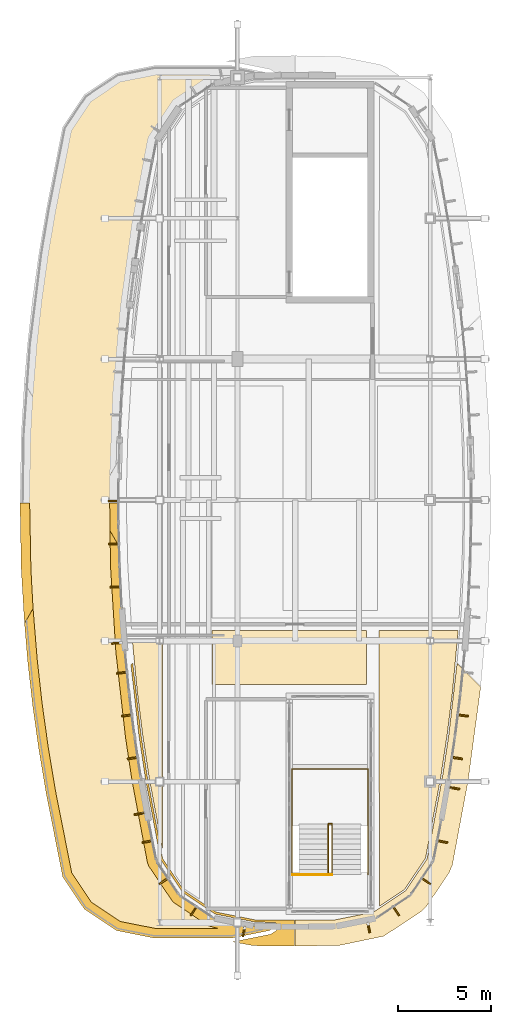
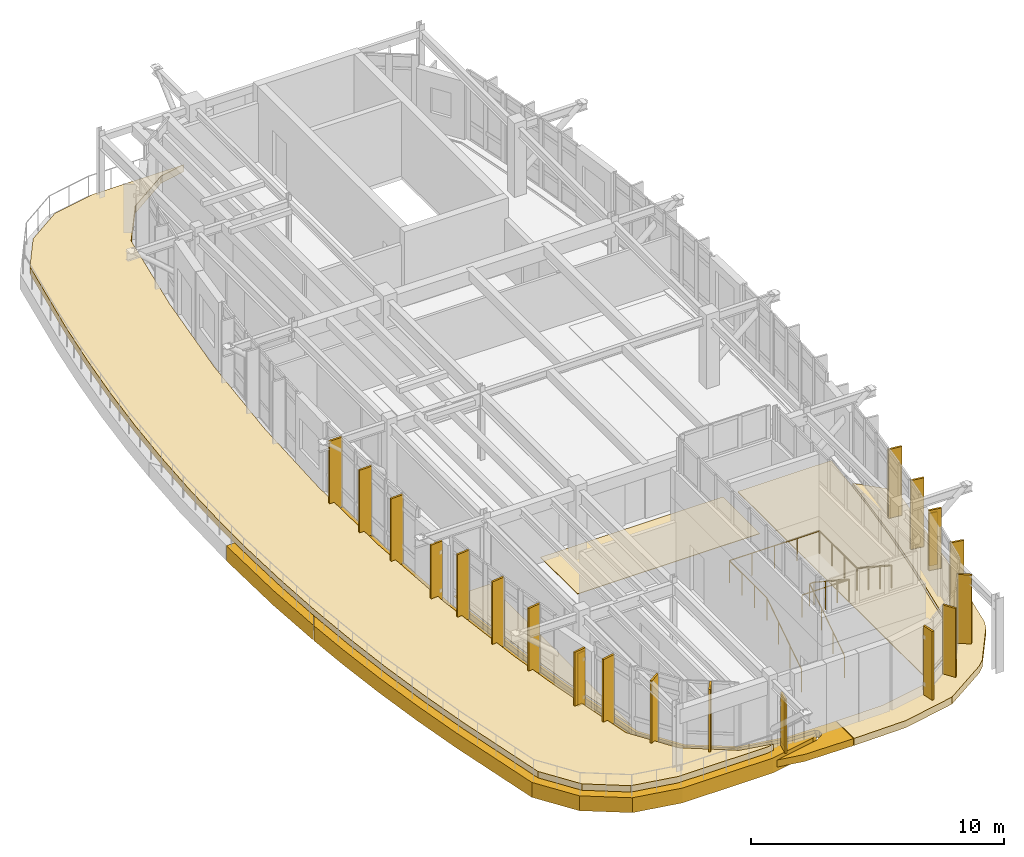
# One storey, part 18 of 20: 28 coverings, 5 shading devices, 3 railings.
"""IFC4 building model written with IfcOpenShell, lengths in metres."""

from ifc_helpers import new_model, si_unit, direction, frame, origin, origin_2d, place, context, subcontext, project, spatial, polyline, rectangle, circle, outline, extrude, material, layer, layer_set, type_object, element, save


model = new_model("IFC4")

# Units and contexts
model_context = context("Model", 3, precision=1e-05, world=origin(), true_north=direction((0.0, 1.0)))
body_context = subcontext(model_context, "Body", "Model", "MODEL_VIEW")
ifc_project = project(units=[si_unit("LENGTHUNIT", "METRE"), si_unit("AREAUNIT", "SQUARE_METRE"), si_unit("VOLUMEUNIT", "CUBIC_METRE"), si_unit("PLANEANGLEUNIT", "RADIAN"), si_unit("MASSUNIT", "GRAM", prefix="KILO")], contexts=[model_context])

# Site, building, storey
site_placement = place(None, origin())
site = spatial("IfcSite", under=ifc_project, at=site_placement, CompositionType="ELEMENT")
building_placement = place(site_placement, origin())
building = spatial("IfcBuilding", under=site, at=building_placement, Name="Corveleigh Park Community Centre", CompositionType="ELEMENT")
storey_placement = place(building_placement, frame((0.0, 0.0, 19.800048828125)))
storey = spatial("IfcBuildingStorey", under=building, at=storey_placement, Name="L05", CompositionType="ELEMENT", Elevation=19.800048828125)

# Coverings
ifc_material_1 = material(Name="Warm buff ribbed architectural cladding", Category="masonry")
ifc_layer_1 = layer(ifc_material_1, 0.0849609375, Name="Warm buff ribbed architectural cladding", Category="masonry")
ifc_layer_set_1 = layer_set([ifc_layer_1], Name="Warm buff ribbed architectural cladding")
covering_type_1 = type_object("IfcCoveringType", Name="COV-CLD-BUF", PredefinedType="CLADDING", material=ifc_layer_set_1)
covering_1_placement = place(storey_placement, origin())
element("IfcCovering", 1, at=covering_1_placement, inside=storey, type_object=covering_type_1, Name="V4 L05 Brise-soleil blade 531", PredefinedType="CLADDING", context=body_context, shape_type="SweptSolid", body=[
    extrude(outline(polyline([(165.074951171875, 58.593017578125), (164.991943359375, 58.575927734375), (165.095947265625, 58.051025390625), (165.179931640625, 58.068115234375), (165.074951171875, 58.593017578125)])), origin(), (0.0, 0.0, 1.0), 3.364013671875),
])
covering_2_placement = place(storey_placement, origin())
element("IfcCovering", 2, at=covering_2_placement, inside=storey, type_object=covering_type_1, Name="V4 L05 Brise-soleil blade 532", PredefinedType="CLADDING", context=body_context, shape_type="SweptSolid", body=[
    extrude(outline(polyline([(166.43603515625, 59.489990234375), (166.364990234375, 59.443115234375), (166.68701171875, 58.9599609375), (166.758056640625, 59.007080078125), (166.43603515625, 59.489990234375)])), origin(), (0.0, 0.0, 1.0), 3.364013671875),
])
covering_3_placement = place(storey_placement, origin())
element("IfcCovering", 3, at=covering_3_placement, inside=storey, type_object=covering_type_1, Name="V4 L05 Brise-soleil blade 533", PredefinedType="CLADDING", context=body_context, shape_type="SweptSolid", body=[
    extrude(outline(polyline([(167.95703125, 61.034912109375), (167.909912109375, 60.964111328125), (168.39306640625, 60.64208984375), (168.43994140625, 60.712890625), (167.95703125, 61.034912109375)])), origin(), (0.0, 0.0, 1.0), 3.364013671875),
])
covering_4_placement = place(storey_placement, origin())
element("IfcCovering", 4, at=covering_4_placement, inside=storey, type_object=covering_type_1, Name="V4 L05 Brise-soleil blade 534", PredefinedType="CLADDING", context=body_context, shape_type="SweptSolid", body=[
    extrude(outline(polyline([(168.77587890625, 63.06298828125), (168.759033203125, 62.97998046875), (169.327880859375, 62.866943359375), (169.344970703125, 62.949951171875), (168.77587890625, 63.06298828125)])), origin(), (0.0, 0.0, 1.0), 3.364013671875),
])
covering_5_placement = place(storey_placement, origin())
element("IfcCovering", 5, at=covering_5_placement, inside=storey, type_object=covering_type_1, Name="V4 L05 Brise-soleil blade 535", PredefinedType="CLADDING", context=body_context, shape_type="SweptSolid", body=[
    extrude(outline(polyline([(169.462890625, 65.93408203125), (169.447998046875, 65.85107421875), (169.97509765625, 65.757080078125), (169.989990234375, 65.841064453125), (169.462890625, 65.93408203125)])), origin(), (0.0, 0.0, 1.0), 2.94287109375),
])
covering_6_placement = place(storey_placement, origin())
element("IfcCovering", 6, at=covering_6_placement, inside=storey, type_object=covering_type_1, Name="V4 L05 Brise-soleil blade 536", PredefinedType="CLADDING", context=body_context, shape_type="SweptSolid", body=[
    extrude(outline(polyline([(169.56201171875, 67.55810546875), (169.549072265625, 67.47412109375), (170.123046875, 67.386962890625), (170.135986328125, 67.470947265625), (169.56201171875, 67.55810546875)])), origin(), (0.0, 0.0, 1.0), 3.364013671875),
])
covering_7_placement = place(storey_placement, origin())
element("IfcCovering", 7, at=covering_7_placement, inside=storey, type_object=covering_type_1, Name="V4 L05 Brise-soleil blade 537", PredefinedType="CLADDING", context=body_context, shape_type="SweptSolid", body=[
    extrude(outline(polyline([(169.8779296875, 69.85009765625), (169.866943359375, 69.764892578125), (170.443115234375, 69.693115234375), (170.452880859375, 69.777099609375), (169.8779296875, 69.85009765625)])), origin(), (0.0, 0.0, 1.0), 3.364013671875),
])
covering_8_placement = place(storey_placement, origin())
element("IfcCovering", 8, at=covering_8_placement, inside=storey, type_object=covering_type_1, Name="V4 L05 Brise-soleil blade 559", PredefinedType="CLADDING", context=body_context, shape_type="SweptSolid", body=[
    extrude(outline(polyline([(151.60498046875, 81.306884765625), (151.60498046875, 81.39208984375), (151.02490234375, 81.39208984375), (151.02490234375, 81.306884765625), (151.60498046875, 81.306884765625)])), origin(), (0.0, 0.0, 1.0), 3.364013671875),
])
covering_9_placement = place(storey_placement, origin())
element("IfcCovering", 9, at=covering_9_placement, inside=storey, type_object=covering_type_1, Name="V4 L05 Brise-soleil blade 560", PredefinedType="CLADDING", context=body_context, shape_type="SweptSolid", body=[
    extrude(outline(polyline([(151.635009765625, 78.992919921875), (151.633056640625, 79.077880859375), (151.052978515625, 79.06298828125), (151.054931640625, 78.97802734375), (151.635009765625, 78.992919921875)])), origin(), (0.0, 0.0, 1.0), 3.364013671875),
])
covering_10_placement = place(storey_placement, origin())
element("IfcCovering", 10, at=covering_10_placement, inside=storey, type_object=covering_type_1, Name="V4 L05 Brise-soleil blade 561", PredefinedType="CLADDING", context=body_context, shape_type="SweptSolid", body=[
    extrude(outline(polyline([(151.722900390625, 76.679931640625), (151.718994140625, 76.764892578125), (151.139892578125, 76.736083984375), (151.14404296875, 76.65087890625), (151.722900390625, 76.679931640625)])), origin(), (0.0, 0.0, 1.0), 3.364013671875),
])
covering_11_placement = place(storey_placement, origin())
element("IfcCovering", 11, at=covering_11_placement, inside=storey, type_object=covering_type_1, Name="V4 L05 Brise-soleil blade 562", PredefinedType="CLADDING", context=body_context, shape_type="SweptSolid", body=[
    extrude(outline(polyline([(151.756103515625, 73.662109375), (151.75, 73.74609375), (151.216064453125, 73.70703125), (151.221923828125, 73.6220703125), (151.756103515625, 73.662109375)])), origin(), (0.0, 0.0, 1.0), 2.94287109375),
])
covering_12_placement = place(storey_placement, origin())
element("IfcCovering", 12, at=covering_12_placement, inside=storey, type_object=covering_type_1, Name="V4 L05 Brise-soleil blade 563", PredefinedType="CLADDING", context=body_context, shape_type="SweptSolid", body=[
    extrude(outline(polyline([(152.072021484375, 72.06494140625), (152.06298828125, 72.14990234375), (151.486083984375, 72.092041015625), (151.493896484375, 72.007080078125), (152.072021484375, 72.06494140625)])), origin(), (0.0, 0.0, 1.0), 3.364013671875),
])
covering_13_placement = place(storey_placement, origin())
element("IfcCovering", 13, at=covering_13_placement, inside=storey, type_object=covering_type_1, Name="V4 L05 Brise-soleil blade 564", PredefinedType="CLADDING", context=body_context, shape_type="SweptSolid", body=[
    extrude(outline(polyline([(152.3330078125, 69.764892578125), (152.322021484375, 69.85009765625), (151.7470703125, 69.777099609375), (151.757080078125, 69.693115234375), (152.3330078125, 69.764892578125)])), origin(), (0.0, 0.0, 1.0), 3.364013671875),
])
covering_14_placement = place(storey_placement, origin())
element("IfcCovering", 14, at=covering_14_placement, inside=storey, type_object=covering_type_1, Name="V4 L05 Brise-soleil blade 565", PredefinedType="CLADDING", context=body_context, shape_type="SweptSolid", body=[
    extrude(outline(polyline([(152.65087890625, 67.47412109375), (152.637939453125, 67.55810546875), (152.06396484375, 67.470947265625), (152.076904296875, 67.386962890625), (152.65087890625, 67.47412109375)])), origin(), (0.0, 0.0, 1.0), 3.364013671875),
])
covering_15_placement = place(storey_placement, origin())
element("IfcCovering", 15, at=covering_15_placement, inside=storey, type_object=covering_type_1, Name="V4 L05 Brise-soleil blade 566", PredefinedType="CLADDING", context=body_context, shape_type="SweptSolid", body=[
    extrude(outline(polyline([(152.97509765625, 64.469970703125), (152.9609375, 64.553955078125), (152.43408203125, 64.4609375), (152.448974609375, 64.376953125), (152.97509765625, 64.469970703125)])), origin(), (0.0, 0.0, 1.0), 2.94287109375),
])
covering_16_placement = place(storey_placement, origin())
element("IfcCovering", 16, at=covering_16_placement, inside=storey, type_object=covering_type_1, Name="V4 L05 Brise-soleil blade 567", PredefinedType="CLADDING", context=body_context, shape_type="SweptSolid", body=[
    extrude(outline(polyline([(153.44091796875, 62.97998046875), (153.424072265625, 63.06298828125), (152.85498046875, 62.949951171875), (152.8720703125, 62.866943359375), (153.44091796875, 62.97998046875)])), origin(), (0.0, 0.0, 1.0), 3.364013671875),
])
covering_17_placement = place(storey_placement, origin())
element("IfcCovering", 17, at=covering_17_placement, inside=storey, type_object=covering_type_1, Name="V4 L05 Brise-soleil blade 568", PredefinedType="CLADDING", context=body_context, shape_type="SweptSolid", body=[
    extrude(outline(polyline([(154.2900390625, 60.964111328125), (154.242919921875, 61.034912109375), (153.760009765625, 60.712890625), (153.806884765625, 60.64208984375), (154.2900390625, 60.964111328125)])), origin(), (0.0, 0.0, 1.0), 3.364013671875),
])
covering_18_placement = place(storey_placement, origin())
element("IfcCovering", 18, at=covering_18_placement, inside=storey, type_object=covering_type_1, Name="V4 L05 Brise-soleil blade 569", PredefinedType="CLADDING", context=body_context, shape_type="SweptSolid", body=[
    extrude(outline(polyline([(155.8349609375, 59.443115234375), (155.763916015625, 59.489990234375), (155.44189453125, 59.007080078125), (155.512939453125, 58.9599609375), (155.8349609375, 59.443115234375)])), origin(), (0.0, 0.0, 1.0), 3.364013671875),
])
covering_19_placement = place(storey_placement, origin())
element("IfcCovering", 19, at=covering_19_placement, inside=storey, type_object=covering_type_1, Name="V4 L05 Brise-soleil blade 570", PredefinedType="CLADDING", context=body_context, shape_type="SweptSolid", body=[
    extrude(outline(polyline([(158.43798828125, 58.35205078125), (158.35498046875, 58.368896484375), (158.25, 57.843994140625), (158.333984375, 57.826904296875), (158.43798828125, 58.35205078125)])), origin(), (0.0, 0.0, 1.0), 2.619873046875),
])
ifc_material_2 = material(Name="White architectural fascia cladding", Category="masonry")
ifc_layer_2 = layer(ifc_material_2, 0.074951171875, Name="White architectural fascia cladding", Category="masonry")
ifc_layer_set_2 = layer_set([ifc_layer_2], Name="White architectural fascia cladding")
covering_type_2 = type_object("IfcCoveringType", Name="COV-CLD-WHT", PredefinedType="CLADDING", material=ifc_layer_set_2)
covering_20_placement = place(storey_placement, frame((0.0, 0.0, -0.679931640625)))
element("IfcCovering", 20, at=covering_20_placement, inside=storey, type_object=covering_type_2, Name="Step 5 Crown Botanical Terrace Sweeping White Edge Band 4", PredefinedType="CLADDING", context=body_context, shape_type="SweptSolid", body=[
    extrude(outline(polyline([(146.508056640625, 74.74609375), (146.3349609375, 77.638916015625), (146.26708984375, 81.23388671875), (146.787109375, 81.23388671875), (146.85498046875, 77.659912109375), (146.971923828125, 75.548095703125), (146.508056640625, 74.74609375)])), origin(), (0.0, 0.0, 1.0), 0.719970703125),
])
covering_21_placement = place(storey_placement, frame((0.0, 0.0, -0.679931640625)))
element("IfcCovering", 21, at=covering_21_placement, inside=storey, type_object=covering_type_2, Name="Step 5 Crown Botanical Terrace Sweeping White Edge Band 5", PredefinedType="CLADDING", context=body_context, shape_type="SweptSolid", body=[
    extrude(outline(polyline([(159.718994140625, 58.1669921875), (157.672119140625, 57.760009765625), (153.528076171875, 57.760009765625), (151.48095703125, 58.1669921875), (149.73291015625, 59.3330078125), (148.569091796875, 61.073974609375), (147.68896484375, 65.513916015625), (147.283935546875, 67.922119140625), (146.945068359375, 70.340087890625), (146.674072265625, 72.76708984375), (146.509033203125, 74.73291015625), (146.971923828125, 75.535888671875), (147.19189453125, 72.818115234375), (147.4609375, 70.406005859375), (147.797119140625, 68.001953125), (148.199951171875, 65.60791015625), (149.05810546875, 61.27587890625), (150.10693359375, 59.70703125), (151.676025390625, 58.657958984375), (153.574951171875, 58.280029296875), (156.9609375, 58.280029296875), (156.43603515625, 58.422119140625), (154.51611328125, 59.716064453125), (153.219970703125, 61.64111328125), (153.14697265625, 61.818115234375), (152.31005859375, 66.27587890625), (151.9619140625, 68.5830078125), (151.43994140625, 73.201904296875), (151.14892578125, 77.847900390625), (151.125, 79.736083984375), (151.656005859375, 78.81396484375), (151.66796875, 77.87890625), (151.95703125, 73.259033203125), (152.47705078125, 68.659912109375), (152.821044921875, 66.3720703125), (153.656982421875, 61.922119140625), (154.884033203125, 60.083984375), (156.718994140625, 58.85888671875), (158.889892578125, 58.425048828125), (159.98291015625, 58.39599609375), (159.98193359375, 58.340087890625), (159.718994140625, 58.1669921875)])), origin(), (0.0, 0.0, 1.0), 0.719970703125),
])
covering_22_placement = place(storey_placement, frame((0.0, 0.0, -0.679931640625)))
element("IfcCovering", 22, at=covering_22_placement, inside=storey, type_object=covering_type_2, Name="Step 5 Crown Botanical Terrace Sweeping White Edge Band 6", PredefinedType="CLADDING", context=body_context, shape_type="SweptSolid", body=[
    extrude(outline(polyline([(151.656005859375, 78.820068359375), (151.125, 79.739990234375), (151.10595703125, 81.236083984375), (151.6259765625, 81.236083984375), (151.656005859375, 78.820068359375)])), origin(), (0.0, 0.0, 1.0), 0.719970703125),
])
covering_23_placement = place(storey_placement, frame((0.0, 0.0, -0.300048828125)))
element("IfcCovering", 23, at=covering_23_placement, inside=storey, type_object=covering_type_2, Name="V4 L05 Horizontal Sun-Hood 4", PredefinedType="CLADDING", context=body_context, shape_type="SweptSolid", body=[
    extrude(outline(polyline([(159.783935546875, 57.967041015625), (160.112060546875, 58.174072265625), (160.18505859375, 58.27099609375), (160.18603515625, 58.4619140625), (160.052978515625, 58.597900390625), (158.9130859375, 58.635009765625), (156.801025390625, 59.055908203125), (155.034912109375, 60.235107421875), (153.85498046875, 62.0029296875), (153.029052734375, 66.406982421875), (152.68505859375, 68.68798828125), (152.2548828125, 72.49609375), (152.35009765625, 72.592041015625), (152.799072265625, 68.705078125), (153.14208984375, 66.425048828125), (153.962890625, 62.048095703125), (155.117919921875, 60.318115234375), (156.847900390625, 59.1630859375), (158.925048828125, 58.7490234375), (161.089111328125, 58.72705078125), (161.087890625, 57.326904296875), (158.8720703125, 57.35009765625), (157.738037109375, 57.55810546875), (159.783935546875, 57.967041015625)])), origin(), (0.0, 0.0, 1.0), 0.340087890625),
])
covering_24_placement = place(storey_placement, frame((0.0, 0.0, -0.300048828125)))
element("IfcCovering", 24, at=covering_24_placement, inside=storey, type_object=covering_type_2, Name="V4 L05 Horizontal Sun-Hood 5", PredefinedType="CLADDING", context=body_context, shape_type="SweptSolid", body=[
    extrude(outline(polyline([(171.1279296875, 71.31201171875), (170.44091796875, 66.2119140625), (169.596923828125, 61.7060546875), (169.43994140625, 61.327880859375), (168.20703125, 59.48291015625), (167.9169921875, 59.193115234375), (165.89111328125, 57.863037109375), (163.51708984375, 57.3701171875), (161.112060546875, 57.326904296875), (161.111083984375, 58.72705078125), (163.27490234375, 58.7490234375), (165.35205078125, 59.1630859375), (167.08203125, 60.318115234375), (168.237060546875, 62.048095703125), (169.05810546875, 66.425048828125), (169.40087890625, 68.705078125), (169.85009765625, 72.592041015625), (171.1279296875, 71.31201171875)])), origin(), (0.0, 0.0, 1.0), 0.340087890625),
])
ifc_material_3 = material(Name="Acoustic linoleum flooring", Category="wood")
ifc_layer_3 = layer(ifc_material_3, 0.02490234375, Name="Acoustic linoleum flooring", Category="wood")
ifc_layer_set_3 = layer_set([ifc_layer_3], Name="Acoustic linoleum flooring")
covering_type_3 = type_object("IfcCoveringType", Name="COV-FLR-LIN", PredefinedType="FLOORING", material=ifc_layer_set_3)
covering_25_placement = place(storey_placement, origin())
element("IfcCovering", 25, at=covering_25_placement, inside=storey, type_object=covering_type_3, Name="Crown East Gallery Concourse flooring", PredefinedType="FLOORING", context=body_context, shape_type="SweptSolid", body=[
    extrude(outline(polyline([(164.9599609375, 71.43994140625), (156.639892578125, 71.43994140625), (156.639892578125, 74.360107421875), (164.9599609375, 74.360107421875), (164.9599609375, 71.43994140625)])), origin(), (0.0, 0.0, 1.0), 0.02490234375),
])
covering_26_placement = place(storey_placement, origin())
element("IfcCovering", 26, at=covering_26_placement, inside=storey, type_object=covering_type_3, Name="Environmental Science Classroom flooring", PredefinedType="FLOORING", context=body_context, shape_type="SweptSolid", body=[
    extrude(outline(polyline([(152.60009765625, 71.0029296875), (152.3359375, 73.760009765625), (153.9599609375, 73.760009765625), (153.9599609375, 62.52197265625), (153.23095703125, 66.43896484375), (152.887939453125, 68.717041015625), (152.60009765625, 71.0029296875)])), origin(), (0.0, 0.0, 1.0), 0.02490234375),
])
ifc_material_4 = material(Name="Sprung hardwood sports flooring", Category="wood")
ifc_layer_4 = layer(ifc_material_4, 0.044921875, Name="Sprung hardwood sports flooring", Category="wood")
ifc_layer_set_4 = layer_set([ifc_layer_4], Name="Sprung hardwood sports flooring")
covering_type_4 = type_object("IfcCoveringType", Name="COV-FLR-SPR", PredefinedType="FLOORING", material=ifc_layer_set_4)
covering_27_placement = place(storey_placement, origin())
element("IfcCovering", 27, at=covering_27_placement, inside=storey, type_object=covering_type_4, Name="Roof Horticulture Studio flooring", PredefinedType="FLOORING", context=body_context, shape_type="SweptSolid", body=[
    extrude(outline(polyline([(165.659912109375, 59.47607421875), (165.639892578125, 74.360107421875), (169.908935546875, 74.360107421875), (169.60009765625, 71.0029296875), (169.31201171875, 68.717041015625), (168.968994140625, 66.43896484375), (168.153076171875, 62.0830078125), (167.01708984375, 60.383056640625), (165.659912109375, 59.47607421875)])), origin(), (0.0, 0.0, 1.0), 0.044921875),
])
ifc_material_5 = material(Name="Extensive sedum roof build-up", Category="masonry")
ifc_layer_5 = layer(ifc_material_5, 0.35009765625, Name="Extensive sedum roof build-up", Category="masonry")
ifc_layer_set_5 = layer_set([ifc_layer_5], Name="Extensive sedum roof build-up")
covering_type_5 = type_object("IfcCoveringType", Name="COV-ROF-GRN", PredefinedType="ROOFING", material=ifc_layer_set_5)
covering_28_placement = place(storey_placement, origin())
element("IfcCovering", 28, at=covering_28_placement, inside=storey, type_object=covering_type_5, Name="Step 5 Crown Botanical Terrace sedum build-up", PredefinedType="ROOFING", context=body_context, shape_type="SweptSolid", body=[
    extrude(outline(polyline([(157.705078125, 104.43701171875), (156.5390625, 104.18896484375), (154.633056640625, 102.916015625), (153.294921875, 100.927001953125), (152.43798828125, 96.39892578125), (151.799072265625, 91.778076171875), (151.39404296875, 87.14794921875), (151.219970703125, 82.52099609375), (151.278076171875, 77.8740234375), (151.569091796875, 73.217041015625), (152.089111328125, 68.615966796875), (152.43798828125, 66.300048828125), (153.282958984375, 61.80810546875), (154.56396484375, 59.861083984375), (156.5380859375, 58.511962890625), (157.95703125, 58.214111328125), (157.636962890625, 58.14990234375), (153.56298828125, 58.14990234375), (151.6259765625, 58.535888671875), (150.012939453125, 59.613037109375), (148.93603515625, 61.22509765625), (148.072021484375, 65.5849609375), (147.6689453125, 67.98193359375), (147.33203125, 70.389892578125), (147.06201171875, 72.804931640625), (146.85888671875, 75.22705078125), (146.72509765625, 77.655029296875), (146.656982421875, 80.0849609375), (146.656982421875, 82.514892578125), (146.72509765625, 84.945068359375), (146.85888671875, 87.373046875), (147.06201171875, 89.794921875), (147.33203125, 92.2099609375), (147.6689453125, 94.617919921875), (148.072021484375, 97.014892578125), (148.93603515625, 101.375), (150.012939453125, 102.987060546875), (151.6259765625, 104.06396484375), (153.56298828125, 104.449951171875), (157.705078125, 104.43701171875)])), origin(), (0.0, 0.0, 1.0), 0.349853515625),
])

# Railings
ifc_material_6 = material(Name="Stainless steel 316 balustrade", Category="steel")
railing_type = type_object("IfcRailingType", Name="RLG-BAL-INT-1100", PredefinedType="BALUSTRADE", material=ifc_material_6)
railing_1_placement = place(storey_placement, frame((162.89990234375, 61.179931640625, 0.0)))
element("IfcRailing", 29, at=railing_1_placement, inside=storey, type_object=railing_type, Name="Stair ST1 inner guard L05", PredefinedType="BALUSTRADE", context=body_context, shape_type="SweptSolid", body=[
    extrude(circle(Radius=0.02392578125, at=origin_2d()), frame((0.0, 0.0, 1.076171875), z_axis=(0.0, 0.836694709366, 0.547669574943), x_axis=(-1.0, 0.0, 0.0)), (0.0, 0.0, 1.0), 3.28662109375),
    extrude(circle(Radius=0.02392578125, at=origin_2d()), frame((0.0, 2.75, 2.8759765625), z_axis=(1.0, 0.0, 0.0), x_axis=(0.0, 1.0, 0.0)), (0.0, 0.0, 1.0), 0.2001953125),
    extrude(circle(Radius=0.02392578125, at=origin_2d()), frame((0.2001953125, 2.75, 2.8759765625), z_axis=(0.0, -0.83672874682, 0.547617571161), x_axis=(1.0, 0.0, 0.0)), (0.0, 0.0, 1.0), 3.28662109375),
    extrude(circle(Radius=0.02099609375, at=origin_2d()), origin(), (0.0, 0.0, 1.0), 1.052001953125),
    extrude(circle(Radius=0.02099609375, at=origin_2d()), frame((0.0, 0.916748046875, 0.60009765625)), (0.0, 0.0, 1.0), 1.052001953125),
    extrude(circle(Radius=0.02099609375, at=origin_2d()), frame((0.0, 1.833251953125, 1.199951171875)), (0.0, 0.0, 1.0), 1.052001953125),
    extrude(circle(Radius=0.02099609375, at=origin_2d()), frame((0.0, 2.75, 1.800048828125)), (0.0, 0.0, 1.0), 1.052001953125),
    extrude(circle(Radius=0.02099609375, at=origin_2d()), frame((0.2001953125, 2.75, 1.800048828125)), (0.0, 0.0, 1.0), 1.052001953125),
    extrude(circle(Radius=0.02099609375, at=origin_2d()), frame((0.2001953125, 1.833251953125, 2.39990234375)), (0.0, 0.0, 1.0), 1.052001953125),
    extrude(circle(Radius=0.02099609375, at=origin_2d()), frame((0.2001953125, 0.916748046875, 3.0)), (0.0, 0.0, 1.0), 1.052001953125),
    extrude(circle(Radius=0.02099609375, at=origin_2d()), frame((0.2001953125, 0.0, 3.599853515625)), (0.0, 0.0, 1.0), 1.052001953125),
])
railing_2_placement = place(storey_placement, frame((160.967041015625, 61.179931640625, 3.599853515625)))
element("IfcRailing", 30, at=railing_2_placement, inside=storey, type_object=railing_type, Name="Stair ST1 headhouse landing guard", PredefinedType="BALUSTRADE", context=body_context, shape_type="SweptSolid", body=[
    extrude(circle(Radius=0.02392578125, at=origin_2d()), frame((0.0, 0.0, 1.076171875), z_axis=(1.0, 0.0, 0.0), x_axis=(0.0, 1.0, 0.0)), (0.0, 0.0, 1.0), 2.133056640625),
    extrude(circle(Radius=0.02099609375, at=origin_2d()), origin(), (0.0, 0.0, 1.0), 1.052001953125),
    extrude(circle(Radius=0.02099609375, at=origin_2d()), frame((1.06640625, 0.0, 0.0)), (0.0, 0.0, 1.0), 1.052001953125),
    extrude(circle(Radius=0.02099609375, at=origin_2d()), frame((2.133056640625, 0.0, 0.0)), (0.0, 0.0, 1.0), 1.052001953125),
])
railing_3_placement = place(storey_placement, frame((160.947021484375, 61.179931640625, 0.0)))
element("IfcRailing", 31, at=railing_3_placement, inside=storey, type_object=railing_type, Name="Stair ST1 perimeter guard L05", PredefinedType="BALUSTRADE", context=body_context, shape_type="SweptSolid", body=[
    extrude(circle(Radius=0.02392578125, at=origin_2d()), frame((0.0, 0.0, 1.076171875), z_axis=(0.0, 0.836694709366, 0.547669574943), x_axis=(-1.0, 0.0, 0.0)), (0.0, 0.0, 1.0), 3.28662109375),
    extrude(circle(Radius=0.02392578125, at=origin_2d()), frame((0.0, 2.75, 2.8759765625), z_axis=(0.0, 1.0, 0.0), x_axis=(-1.0, 0.0, 0.0)), (0.0, 0.0, 1.0), 2.963134765625),
    extrude(circle(Radius=0.02392578125, at=origin_2d()), frame((0.0, 5.713134765625, 2.8759765625), z_axis=(1.0, 0.0, 0.0), x_axis=(0.0, 1.0, 0.0)), (0.0, 0.0, 1.0), 4.10595703125),
    extrude(circle(Radius=0.02392578125, at=origin_2d()), frame((4.10595703125, 5.713134765625, 2.8759765625), z_axis=(0.0, -1.0, 0.0), x_axis=(1.0, 0.0, 0.0)), (0.0, 0.0, 1.0), 2.963134765625),
    extrude(circle(Radius=0.02392578125, at=origin_2d()), frame((4.10595703125, 2.75, 2.8759765625), z_axis=(0.0, -0.83672874682, 0.547617571161), x_axis=(1.0, 0.0, 0.0)), (0.0, 0.0, 1.0), 3.28662109375),
    extrude(circle(Radius=0.02099609375, at=origin_2d()), origin(), (0.0, 0.0, 1.0), 1.052001953125),
    extrude(circle(Radius=0.02099609375, at=origin_2d()), frame((0.0, 0.916748046875, 0.60009765625)), (0.0, 0.0, 1.0), 1.052001953125),
    extrude(circle(Radius=0.02099609375, at=origin_2d()), frame((0.0, 1.833251953125, 1.199951171875)), (0.0, 0.0, 1.0), 1.052001953125),
    extrude(circle(Radius=0.02099609375, at=origin_2d()), frame((0.0, 2.75, 1.800048828125)), (0.0, 0.0, 1.0), 1.052001953125),
    extrude(circle(Radius=0.02099609375, at=origin_2d()), frame((0.0, 3.73779296875, 1.800048828125)), (0.0, 0.0, 1.0), 1.052001953125),
    extrude(circle(Radius=0.02099609375, at=origin_2d()), frame((0.0, 4.725341796875, 1.800048828125)), (0.0, 0.0, 1.0), 1.052001953125),
    extrude(circle(Radius=0.02099609375, at=origin_2d()), frame((0.0, 5.713134765625, 1.800048828125)), (0.0, 0.0, 1.0), 1.052001953125),
    extrude(circle(Radius=0.02099609375, at=origin_2d()), frame((1.0263671875, 5.713134765625, 1.800048828125)), (0.0, 0.0, 1.0), 1.052001953125),
    extrude(circle(Radius=0.02099609375, at=origin_2d()), frame((2.052978515625, 5.713134765625, 1.800048828125)), (0.0, 0.0, 1.0), 1.052001953125),
    extrude(circle(Radius=0.02099609375, at=origin_2d()), frame((3.07958984375, 5.713134765625, 1.800048828125)), (0.0, 0.0, 1.0), 1.052001953125),
    extrude(circle(Radius=0.02099609375, at=origin_2d()), frame((4.10595703125, 5.713134765625, 1.800048828125)), (0.0, 0.0, 1.0), 1.052001953125),
    extrude(circle(Radius=0.02099609375, at=origin_2d()), frame((4.10595703125, 4.725341796875, 1.800048828125)), (0.0, 0.0, 1.0), 1.052001953125),
    extrude(circle(Radius=0.02099609375, at=origin_2d()), frame((4.10595703125, 3.73779296875, 1.800048828125)), (0.0, 0.0, 1.0), 1.052001953125),
    extrude(circle(Radius=0.02099609375, at=origin_2d()), frame((4.10595703125, 2.75, 1.800048828125)), (0.0, 0.0, 1.0), 1.052001953125),
    extrude(circle(Radius=0.02099609375, at=origin_2d()), frame((4.10595703125, 1.833251953125, 2.39990234375)), (0.0, 0.0, 1.0), 1.052001953125),
    extrude(circle(Radius=0.02099609375, at=origin_2d()), frame((4.10595703125, 0.916748046875, 3.0)), (0.0, 0.0, 1.0), 1.052001953125),
    extrude(circle(Radius=0.02099609375, at=origin_2d()), frame((4.10595703125, 0.0, 3.599853515625)), (0.0, 0.0, 1.0), 1.052001953125),
])

# Shading devices
ifc_material_7 = material(Name="Terracotta-anodised aluminium fin", Category="masonry")
shading_device_type_1 = type_object("IfcShadingDeviceType", Name="SHD-FIN-TER-350", PredefinedType="USERDEFINED", material=ifc_material_7)
for number, where, z_axis, x_axis, name in (
    (32, (169.64306640625, 65.85888671875, 0.25), (0.0, 0.0, 1.0), (0.984735333655, -0.174058388626, 0.0), "Terracotta brise-soleil fin 123"),
    (33, (152.781005859375, 64.47900390625, 0.25), (0.0, 0.0, 1.0), (-0.984735333655, -0.174058388626, 0.0), "Terracotta brise-soleil fin 129"),
):
    element("IfcShadingDevice", number, at=place(storey_placement, frame(where, z_axis=z_axis, x_axis=x_axis)), inside=storey, type_object=shading_device_type_1, Name=name, ObjectType="FIN", PredefinedType="USERDEFINED", context=body_context, shape_type="SweptSolid", body=[
        extrude(rectangle(XDim=0.35009765625, YDim=0.06005859375, at=origin_2d()), origin(), (0.0, 0.0, 1.0), 2.54296875),
    ])
shading_device_type_2 = type_object("IfcShadingDeviceType", Name="SHD-FIN-TER-450", PredefinedType="USERDEFINED", material=ifc_material_7)
shading_device_1_placement = place(storey_placement, frame((165.071044921875, 58.39794921875, 0.25), z_axis=(0.0, 0.0, 1.0), x_axis=(0.194863866686, -0.980830297993, 0.0)))
element("IfcShadingDevice", 34, at=shading_device_1_placement, inside=storey, type_object=shading_device_type_2, Name="Terracotta brise-soleil fin 122", ObjectType="FIN", PredefinedType="USERDEFINED", context=body_context, shape_type="SweptSolid", body=[
    extrude(rectangle(XDim=0.449951171875, YDim=0.06494140625, at=origin_2d()), origin(), (0.0, 0.0, 1.0), 2.964111328125),
])
shading_device_2_placement = place(storey_placement, frame((151.56298828125, 73.68994140625, 0.25), z_axis=(0.0, 0.0, 1.0), x_axis=(-0.997228438227, -0.074400551014, 0.0)))
element("IfcShadingDevice", 35, at=shading_device_2_placement, inside=storey, type_object=shading_device_type_2, Name="Terracotta brise-soleil fin 128", ObjectType="FIN", PredefinedType="USERDEFINED", context=body_context, shape_type="SweptSolid", body=[
    extrude(rectangle(XDim=0.449951171875, YDim=0.06494140625, at=origin_2d()), origin(), (0.0, 0.0, 1.0), 2.54296875),
])
shading_device_3_placement = place(storey_placement, frame((158.35888671875, 58.174072265625, 0.25), z_axis=(0.0, 0.0, 1.0), x_axis=(-0.194863866686, -0.980830297993, 0.0)))
element("IfcShadingDevice", 36, at=shading_device_3_placement, inside=storey, type_object=shading_device_type_2, Name="Terracotta brise-soleil fin 130", ObjectType="FIN", PredefinedType="USERDEFINED", context=body_context, shape_type="SweptSolid", body=[
    extrude(rectangle(XDim=0.449951171875, YDim=0.06494140625, at=origin_2d()), origin(), (0.0, 0.0, 1.0), 2.219970703125),
])

save(model, "model.ifc")
